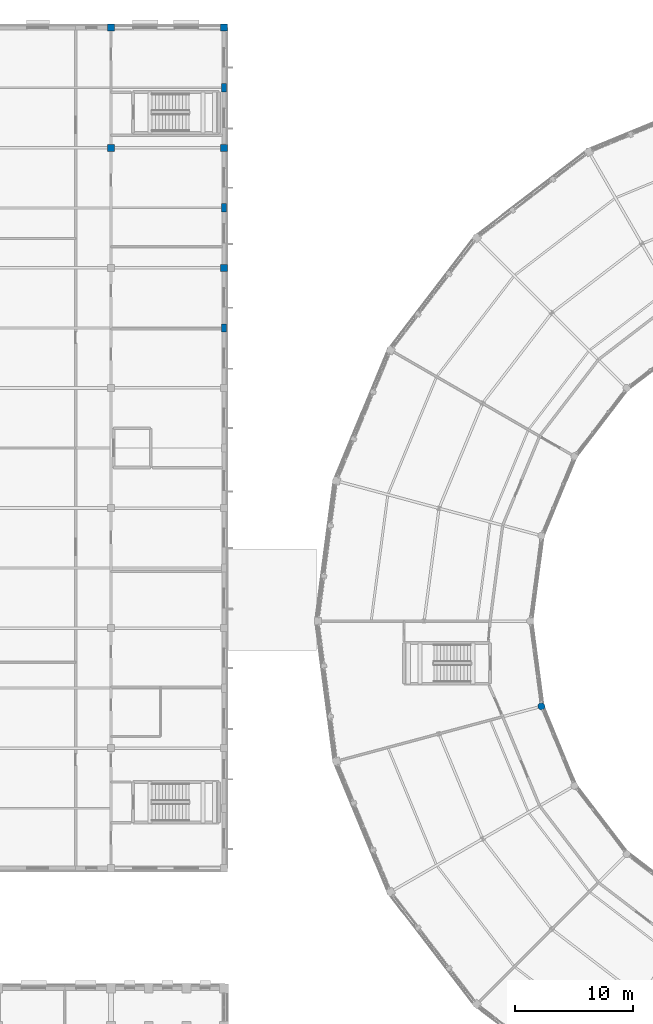
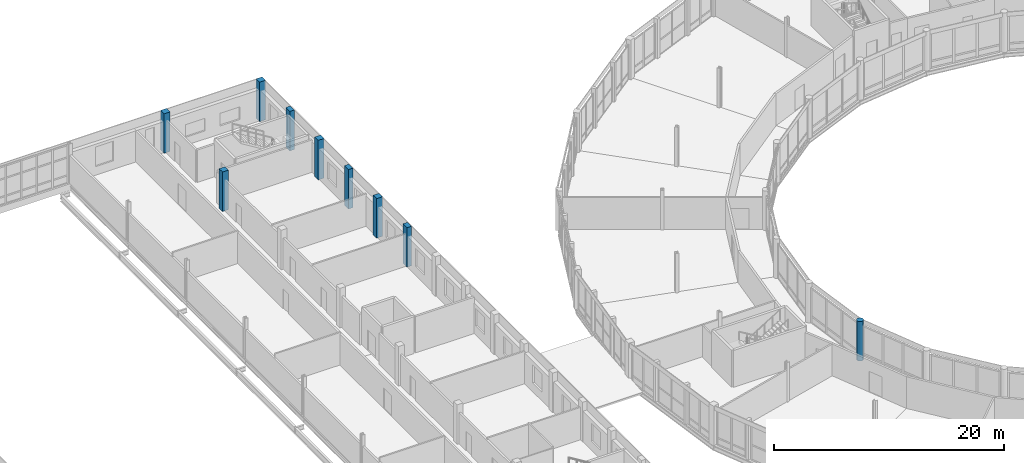
# One storey, part 9 of 170: 9 columns.
"""IFC4 building model written with IfcOpenShell, lengths in metres."""

from ifc_helpers import new_model, si_unit, direction, frame, origin, origin_2d, place, context, subcontext, project, spatial, rectangle, circle, extrude, material, material_profile, profile_set, type_object, element, save


model = new_model("IFC4")

# Units and contexts
model_context = context("Model", 3, precision=1e-05, world=origin(), true_north=direction((0.0, 1.0)))
body_context = subcontext(model_context, "Body", "Model", "MODEL_VIEW")
ifc_project = project(units=[si_unit("LENGTHUNIT", "METRE"), si_unit("AREAUNIT", "SQUARE_METRE"), si_unit("VOLUMEUNIT", "CUBIC_METRE"), si_unit("PLANEANGLEUNIT", "RADIAN"), si_unit("MASSUNIT", "GRAM", prefix="KILO")], contexts=[model_context])

# Site, building, storey
site_placement = place(None, origin())
site = spatial("IfcSite", under=ifc_project, at=site_placement, CompositionType="ELEMENT")
building_placement = place(site_placement, origin())
building = spatial("IfcBuilding", under=site, at=building_placement, Name="Vondelvale Polytechnic", CompositionType="ELEMENT")
storey_placement = place(building_placement, frame((0.0, 0.0, 5.39990234375)))
storey = spatial("IfcBuildingStorey", under=building, at=storey_placement, Name="L01", CompositionType="ELEMENT", Elevation=5.39990234375)

# Columns
ifc_material = material(Name="Concrete N50 (f'c = 50 MPa)", Category="concrete")
ifc_material_profile_1 = material_profile(ifc_material, rectangle(XDim=0.60009765625, YDim=0.60009765625, at=origin_2d()), Name="RC-COL-600x600")
ifc_profile_set_1 = profile_set([ifc_material_profile_1], Name="Concrete N50 (f'c = 50 MPa)")
column_type_1 = type_object("IfcColumnType", Name="COL-RC600", PredefinedType="COLUMN", material=ifc_profile_set_1)
for number, where, z_axis, x_axis, name in (
    (1, (48.0, 102.0, 0.0), (0.0, 0.0, 1.0), (1.0, 0.0, 0.0), "L01 workshop column (48.0,102.0)"),
    (2, (38.39990234375, 112.199951171875, 0.0), (0.0, 0.0, 1.0), (1.0, 0.0, 0.0), "L01 workshop column (38.4,112.2)"),
    (3, (48.0, 112.199951171875, 0.0), (0.0, 0.0, 1.0), (1.0, 0.0, 0.0), "L01 workshop column (48.0,112.2)"),
    (4, (38.39990234375, 122.39990234375, 0.0), (0.0, 0.0, 1.0), (1.0, 0.0, 0.0), "L01 workshop column (38.4,122.4)"),
    (5, (48.0, 122.39990234375, 0.0), (0.0, 0.0, 1.0), (1.0, 0.0, 0.0), "L01 workshop column (48.0,122.4)"),
):
    element("IfcColumn", number, at=place(storey_placement, frame(where, z_axis=z_axis, x_axis=x_axis)), inside=storey, type_object=column_type_1, Name=name, PredefinedType="COLUMN", context=body_context, shape_type="SweptSolid", body=[
        extrude(rectangle(XDim=0.60009765625, YDim=0.60009765625, at=origin_2d()), origin(), (0.0, 0.0, 1.0), 4.2001953125),
    ])
ifc_material_profile_2 = material_profile(ifc_material, circle(Radius=0.300048828125, at=origin_2d()), Name="RC-COL-D600")
ifc_profile_set_2 = profile_set([ifc_material_profile_2], Name="Concrete N50 (f'c = 50 MPa)")
column_type_2 = type_object("IfcColumnType", Name="COL-RCD600", PredefinedType="COLUMN", material=ifc_profile_set_2)
column_placement = place(storey_placement, frame((74.9541015625, 64.753173828125, 0.0), z_axis=(0.0, 0.0, 1.0), x_axis=(0.965925826289, 0.258819045103, 0.0)))
element("IfcColumn", 6, at=column_placement, inside=storey, type_object=column_type_2, Name="L01 courtyard ring column S13-RI", PredefinedType="COLUMN", context=body_context, shape_type="SweptSolid", body=[
    extrude(circle(Radius=0.300048828125, at=origin_2d()), origin(), (0.0, 0.0, 1.0), 4.2001953125),
])
ifc_material_profile_3 = material_profile(ifc_material, rectangle(XDim=0.449951171875, YDim=0.699951171875, at=origin_2d()), Name="RC-PIL-700x450")
ifc_profile_set_3 = profile_set([ifc_material_profile_3], Name="Concrete N50 (f'c = 50 MPa)")
column_type_3 = type_object("IfcColumnType", Name="PIL-RC700x450", PredefinedType="PILASTER", material=ifc_profile_set_3)
for number, where, z_axis, x_axis, name in (
    (7, (48.0, 96.89990234375, 0.0), (0.0, 0.0, 1.0), (1.0, 0.0, 0.0), "L01 East workshop brick pilaster 5"),
    (8, (48.0, 107.10009765625, 0.0), (0.0, 0.0, 1.0), (1.0, 0.0, 0.0), "L01 East workshop brick pilaster 6"),
    (9, (48.0, 117.300048828125, 0.0), (0.0, 0.0, 1.0), (1.0, 0.0, 0.0), "L01 East workshop brick pilaster 7"),
):
    element("IfcColumn", number, at=place(storey_placement, frame(where, z_axis=z_axis, x_axis=x_axis)), inside=storey, type_object=column_type_3, Name=name, PredefinedType="PILASTER", context=body_context, shape_type="SweptSolid", body=[
        extrude(rectangle(XDim=0.449951171875, YDim=0.699951171875, at=origin_2d()), origin(), (0.0, 0.0, 1.0), 4.2001953125),
    ])

save(model, "model.ifc")
